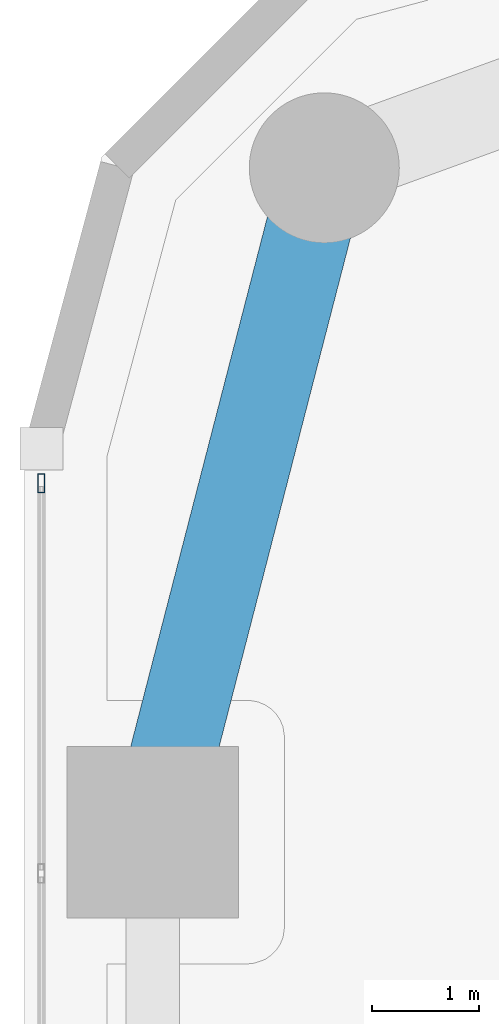
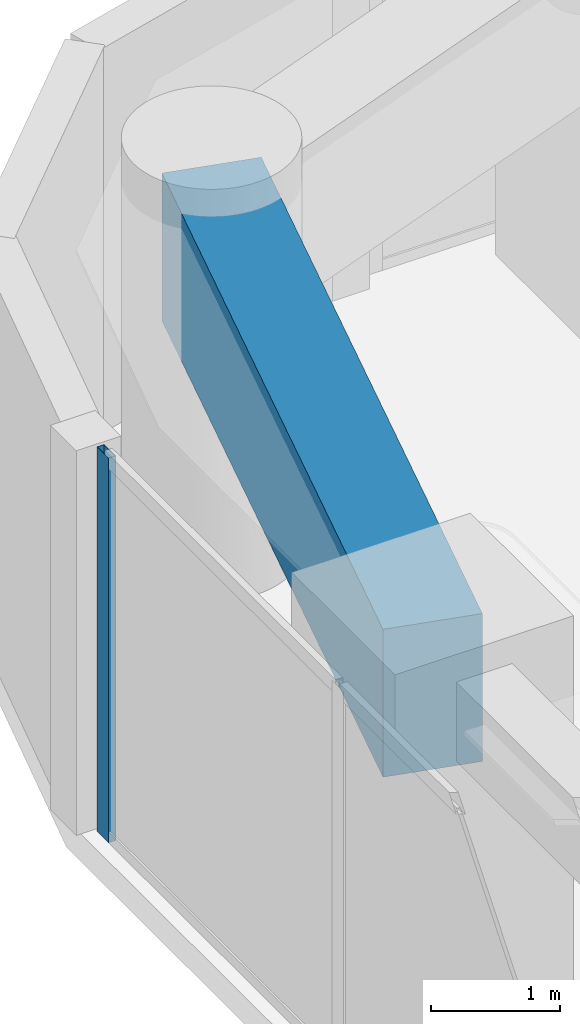
# One storey, part 14 of 29: 1 beam, 1 member, 1 element without a shape of its own.
"""IFC4 building model written with IfcOpenShell, lengths in metres."""

import ifcopenshell
import ifcopenshell.guid

model = None  # the IFC model being written
_history = None  # IfcOwnerHistory: only IFC2X3 demands one
_inside = {}  # id of a spatial element -> (the spatial element, [elements in it])
_under = {}  # id of a project, library or spatial element -> (it, [spatial elements below it])
_declared = {}  # id of a project -> (the project, [libraries it declares])
_typed = {}  # id of a type object -> (the type object, [elements of that type])
_made_of = {}  # id of a material, layer set ... -> (it, [elements and type objects made of it])


def new_model(schema):
    """Start an empty IFC model of exactly this schema.

    Asked for "IFC4X3", IfcOpenShell would pick the latest addendum, in which some entities
    have other attributes; the version numbers below select the first issue.
    IFC2X3 requires an IfcOwnerHistory on every rooted entity: one is made here for all.
    """
    global model, _history
    if schema == "IFC4X3":
        model = ifcopenshell.file(schema_version=(4, 3, 0, 0))
    else:
        model = ifcopenshell.file(schema=schema)
    _inside.clear()
    _under.clear()
    _declared.clear()
    _typed.clear()
    _made_of.clear()
    _history = None
    if model.schema == "IFC2X3":
        org = make("IfcOrganization", Name="unknown")
        user = make(
            "IfcPersonAndOrganization",
            ThePerson=make("IfcPerson", FamilyName="unknown"),
            TheOrganization=org,
        )
        app = make(
            "IfcApplication",
            ApplicationDeveloper=org,
            Version="unknown",
            ApplicationFullName="unknown",
            ApplicationIdentifier="unknown",
        )
        _history = make(
            "IfcOwnerHistory",
            OwningUser=user,
            OwningApplication=app,
            ChangeAction="ADDED",
            CreationDate=0,
        )
    return model


def make(cls, **values):
    """One entity of the class cls with the attributes given. An attribute that is None is left unset."""
    return model.create_entity(
        cls, **{name: value for name, value in values.items() if value is not None}
    )


def rooted(cls, **values):
    """An entity with a GlobalId (a new one), such as an element, a storey or a relation."""
    return make(cls, GlobalId=ifcopenshell.guid.new(), OwnerHistory=_history, **values)


def si_unit(unit_type, name, prefix=None):
    """IfcSIUnit, for example si_unit("LENGTHUNIT", "METRE", prefix="MILLI")."""
    return make("IfcSIUnit", UnitType=unit_type, Prefix=prefix, Name=name)


def assignment(units):
    """IfcUnitAssignment: the units of a project."""
    return None if units is None else make("IfcUnitAssignment", Units=units)


def point(xyz):
    """IfcCartesianPoint."""
    return None if xyz is None else make("IfcCartesianPoint", Coordinates=xyz)


def direction(xyz):
    """IfcDirection."""
    return None if xyz is None else make("IfcDirection", DirectionRatios=xyz)


def frame(location, z_axis=None, x_axis=None):
    """IfcAxis2Placement3D, a coordinate frame: its origin and axes. An axis left out is left unset."""
    return make(
        "IfcAxis2Placement3D",
        Location=point(location),
        Axis=direction(z_axis),
        RefDirection=direction(x_axis),
    )


def frame_2d(location, x_axis=None):
    """IfcAxis2Placement2D, a coordinate frame in the plane: its origin and x axis."""
    return make(
        "IfcAxis2Placement2D", Location=point(location), RefDirection=direction(x_axis)
    )


def origin():
    """The frame at (0, 0, 0) with its axes left unset."""
    return frame((0.0, 0.0, 0.0))


def origin_2d():
    """The frame at (0, 0) in the plane with its x axis left unset."""
    return frame_2d((0.0, 0.0))


def place(relative_to, where):
    """IfcLocalPlacement: puts the frame where relative to a parent placement (None: the world)."""
    return make(
        "IfcLocalPlacement", PlacementRelTo=relative_to, RelativePlacement=where
    )


def context(
    kind, dimensions, precision=None, world=None, true_north=None, identifier=None
):
    """IfcGeometricRepresentationContext, for example the 3D "Model" context."""
    return make(
        "IfcGeometricRepresentationContext",
        ContextIdentifier=identifier,
        ContextType=kind,
        CoordinateSpaceDimension=dimensions,
        Precision=precision,
        WorldCoordinateSystem=world,
        TrueNorth=true_north,
    )


def subcontext(parent, identifier, kind, view, scale=None):
    """IfcGeometricRepresentationSubContext, for example "Body" below "Model"."""
    return make(
        "IfcGeometricRepresentationSubContext",
        ContextIdentifier=identifier,
        ContextType=kind,
        ParentContext=parent,
        TargetScale=scale,
        TargetView=view,
    )


def project(units=None, contexts=None):
    """IfcProject with its units and contexts."""
    return rooted(
        "IfcProject",
        Name="project",
        RepresentationContexts=contexts,
        UnitsInContext=assignment(units),
    )


def spatial(cls, under=None, at=None, **own):
    """A site, building, storey or space (cls), placed at a placement, below another one or the project."""
    s = rooted(cls, ObjectPlacement=at, **own)
    if under is not None:
        _under.setdefault(under.id(), (under, []))[1].append(s)
    return s


def profile(cls, at=None, kind="AREA", **sizes):
    """A parametric profile (cls). Its sizes go by their IFC names, for example OverallWidth=200.0."""
    return make(cls, ProfileType=kind, Position=at, **sizes)


def rectangle(**sizes):
    """IfcRectangleProfileDef."""
    return profile("IfcRectangleProfileDef", **sizes)


def hollow_rectangle(**sizes):
    """IfcRectangleHollowProfileDef."""
    return profile("IfcRectangleHollowProfileDef", **sizes)


def extrude(swept, where, along, depth):
    """IfcExtrudedAreaSolid: the profile swept, set in the frame where, extruded along a direction by depth."""
    return make(
        "IfcExtrudedAreaSolid",
        SweptArea=swept,
        Position=where,
        ExtrudedDirection=direction(along),
        Depth=depth,
    )


def shape(context_of_items, identifier, shape_type, items):
    """IfcShapeRepresentation: the items that make up one representation, for example the "Body"."""
    return make(
        "IfcShapeRepresentation",
        ContextOfItems=context_of_items,
        RepresentationIdentifier=identifier,
        RepresentationType=shape_type,
        Items=items,
    )


def material(Name=None, Category=None):
    """IfcMaterial."""
    return make("IfcMaterial", Name=Name, Category=Category)


def layer(
    of_material, thickness, ventilated=None, Name=None, Category=None, Priority=None
):
    """IfcMaterialLayer: one layer of a wall or slab, of a material (None: an air gap)."""
    return make(
        "IfcMaterialLayer",
        Material=of_material,
        LayerThickness=thickness,
        IsVentilated=ventilated,
        Name=Name,
        Category=Category,
        Priority=Priority,
    )


def layer_set(layers, Name=None):
    """IfcMaterialLayerSet."""
    return make("IfcMaterialLayerSet", MaterialLayers=layers, LayerSetName=Name)


def material_profile(
    of_material, cross_section, Name=None, Category=None, Priority=None
):
    """IfcMaterialProfile: a cross section and its material."""
    return make(
        "IfcMaterialProfile",
        Name=Name,
        Material=of_material,
        Profile=cross_section,
        Priority=Priority,
        Category=Category,
    )


def profile_set(profiles, Name=None, composite=None):
    """IfcMaterialProfileSet."""
    return make(
        "IfcMaterialProfileSet",
        Name=Name,
        MaterialProfiles=profiles,
        CompositeProfile=composite,
    )


def made_of(thing, what):
    """Note that an element or type object is made of a material, layer set ...; save() writes the relation."""
    if what is not None:
        _made_of.setdefault(what.id(), (what, []))[1].append(thing)
    return thing


def type_object(cls, material=None, **own):
    """A type object (cls), such as IfcWallType, which elements share."""
    return made_of(rooted(cls, **own), material)


def element(
    cls,
    number,
    at=None,
    inside=None,
    cuts=None,
    type_object=None,
    material=None,
    context=None,
    identifier="Body",
    shape_type=None,
    held_by="IfcProductDefinitionShape",
    body=None,
    shapes=None,
    **own,
):
    """One element of the class cls, such as IfcWall. Its Tag is "e" and its number.

    at: its placement. inside: the storey or other place that contains it. cuts: it is an
    opening in that element (IfcRelVoidsElement). A single representation is given by context,
    identifier, shape_type and body (its items); several are given by shapes. held_by: the class
    of the entity that holds the representations. save() writes the other relations.
    """
    e = rooted(cls, Tag="e%d" % number, ObjectPlacement=at, **own)
    if body is not None:
        shapes = [shape(context, identifier, shape_type, body)]
    if shapes is not None:
        e.Representation = make(held_by, Representations=shapes)
    if inside is not None:
        _inside.setdefault(inside.id(), (inside, []))[1].append(e)
    if cuts is not None:
        rooted(
            "IfcRelVoidsElement", RelatingBuildingElement=cuts, RelatedOpeningElement=e
        )
    if type_object is not None:
        _typed.setdefault(type_object.id(), (type_object, []))[1].append(e)
    return made_of(e, material)


def aggregate(whole, parts):
    """IfcRelAggregates: a whole, such as a stair, and the parts it consists of."""
    return rooted("IfcRelAggregates", RelatingObject=whole, RelatedObjects=parts)


def save(model, path):
    """Write the relations noted so far, then the file.

    IfcRelAggregates (storeys below a building ...), IfcRelContainedInSpatialStructure (elements
    in a storey), IfcRelDefinesByType, IfcRelAssociatesMaterial and IfcRelDeclares: one each for
    every whole, place, type object, material and project.
    """
    for whole, parts in _under.values():
        aggregate(whole, parts)
    for where, things in _inside.values():
        rooted(
            "IfcRelContainedInSpatialStructure",
            RelatedElements=things,
            RelatingStructure=where,
        )
    for kind, things in _typed.values():
        rooted("IfcRelDefinesByType", RelatedObjects=things, RelatingType=kind)
    for what, things in _made_of.values():
        rooted("IfcRelAssociatesMaterial", RelatedObjects=things, RelatingMaterial=what)
    for by, libraries in _declared.values():
        rooted("IfcRelDeclares", RelatingContext=by, RelatedDefinitions=libraries)
    model.write(path)


model = new_model("IFC4")

# Units and contexts
model_context = context("Model", 3, precision=1e-05, world=origin(), true_north=direction((0.0, 1.0)))
body_context = subcontext(model_context, "Body", "Model", "MODEL_VIEW")
ifc_project = project(units=[si_unit("LENGTHUNIT", "METRE"), si_unit("AREAUNIT", "SQUARE_METRE"), si_unit("VOLUMEUNIT", "CUBIC_METRE"), si_unit("PLANEANGLEUNIT", "RADIAN"), si_unit("MASSUNIT", "GRAM", prefix="KILO")], contexts=[model_context])

# Site, building, storey
site_placement = place(None, origin())
site = spatial("IfcSite", under=ifc_project, at=site_placement, CompositionType="ELEMENT")
building_placement = place(site_placement, origin())
building = spatial("IfcBuilding", under=site, at=building_placement, Name="Kiyonajd Concourse Tower", CompositionType="ELEMENT")
storey_placement = place(building_placement, frame((0.0, 0.0, 45.0)))
storey = spatial("IfcBuildingStorey", under=building, at=storey_placement, Name="L12", CompositionType="ELEMENT", Elevation=45.0)

# Beam
ifc_material_1 = material(Name="Concrete C60/75", Category="concrete")
ifc_material_profile_1 = material_profile(ifc_material_1, rectangle(XDim=0.800048828125, YDim=1.39990234375, at=origin_2d()), Name="RCBM-800x1400")
ifc_profile_set_1 = profile_set([ifc_material_profile_1], Name="Concrete C60/75")
beam_type = type_object("IfcBeamType", Name="BM-XFER-RC", PredefinedType="BEAM", material=ifc_profile_set_1)
beam_placement = place(storey_placement, frame((20.800048828125, 59.60009765625, 2.93994140625), z_axis=(-0.249884937687, -0.968275538221, 0.0), x_axis=(0.968275538221, -0.249884937687, 0.0)))
element("IfcBeam", 1, at=beam_placement, inside=storey, type_object=beam_type, Name="L12 Perimeter Bundled Tube Spandrel", PredefinedType="BEAM", context=body_context, shape_type="SweptSolid", body=[
    extrude(rectangle(XDim=0.800048828125, YDim=1.39990234375, at=origin_2d()), origin(), (0.0, 0.0, 1.0), 6.4033203125),
])

# Curtain wall, member
ifc_material_2 = material(Name="Thermally Broken Anodised Aluminium", Category="aluminium")
ifc_layer = layer(ifc_material_2, 0.179931640625)
ifc_layer_set = layer_set([ifc_layer], Name="Thermally Broken Anodised Aluminium")
curtain_wall_type = type_object("IfcCurtainWallType", Name="CW-SYS-02", PredefinedType="NOTDEFINED", material=ifc_layer_set)
curtain_wall_placement = place(storey_placement, origin())
curtain_wall = element("IfcCurtainWall", 2, at=curtain_wall_placement, inside=storey, type_object=curtain_wall_type, Name="L12 Unitised Curtain Wall CW2", PredefinedType="NOTDEFINED")
ifc_material_profile_2 = material_profile(ifc_material_2, hollow_rectangle(XDim=0.06494140625, YDim=0.179931640625, WallThickness=0.00390625, at=origin_2d()), Name="MULL-65x180")
ifc_profile_set_2 = profile_set([ifc_material_profile_2], Name="Thermally Broken Anodised Aluminium")
member_type = type_object("IfcMemberType", Name="MB-CW-MULL1", PredefinedType="MULLION", material=ifc_profile_set_2)
member_placement = place(storey_placement, frame((18.159912109375, 56.656494140625, 0.0), z_axis=(0.0, 0.0, 1.0), x_axis=(-1.0, 0.0, 0.0)))
member = element("IfcMember", 3, at=member_placement, type_object=member_type, Name="CW2 mullion 7", PredefinedType="MULLION", context=body_context, shape_type="SweptSolid", body=[
    extrude(hollow_rectangle(XDim=0.06494140625, YDim=0.179931640625, WallThickness=0.00390625, at=origin_2d()), origin(), (0.0, 0.0, 1.0), 3.639892578125),
])
aggregate(curtain_wall, [member])

save(model, "model.ifc")
